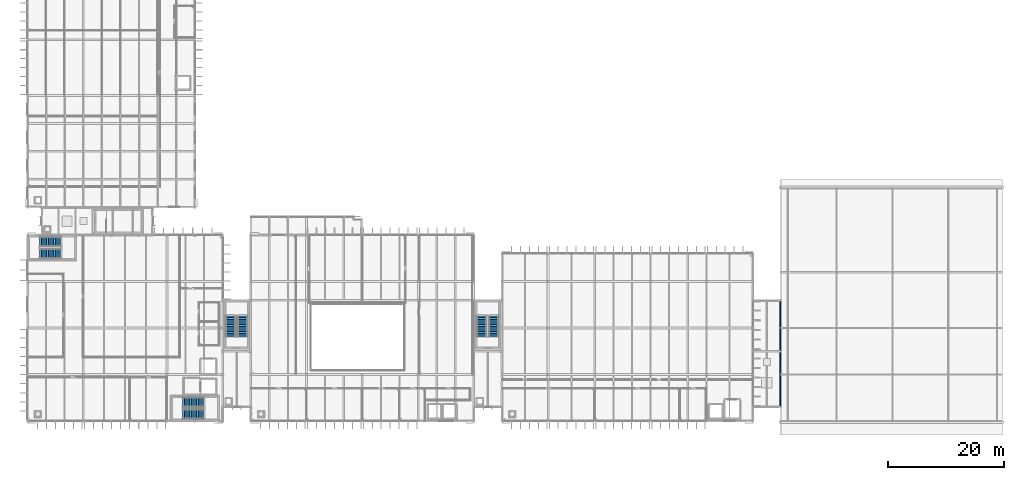
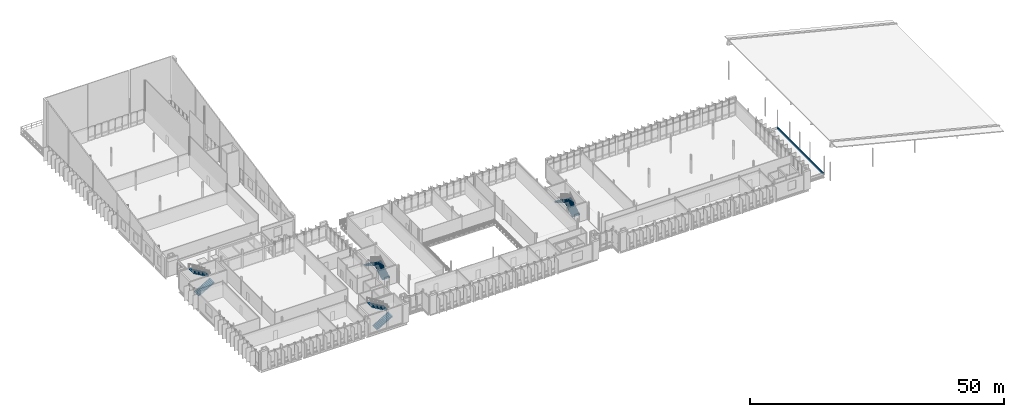
# One storey, part 56 of 93: 8 stair flights, 1 wall, 4 elements without a shape of their own.
"""IFC4 building model written with IfcOpenShell, lengths in metres."""

from ifc_helpers import new_model, si_unit, direction, frame, frame_2d, origin, place, context, subcontext, project, spatial, polyline, rectangle, outline, extrude, material, layer, layer_set, type_object, element, aggregate, save


model = new_model("IFC4")

# Units and contexts
model_context = context("Model", 3, precision=1e-05, world=origin(), true_north=direction((0.0, 1.0)))
body_context = subcontext(model_context, "Body", "Model", "MODEL_VIEW")
ifc_project = project(units=[si_unit("LENGTHUNIT", "METRE"), si_unit("AREAUNIT", "SQUARE_METRE"), si_unit("VOLUMEUNIT", "CUBIC_METRE"), si_unit("PLANEANGLEUNIT", "RADIAN"), si_unit("MASSUNIT", "GRAM", prefix="KILO")], contexts=[model_context])

# Site, building, storey
site_placement = place(None, origin())
site = spatial("IfcSite", under=ifc_project, at=site_placement, CompositionType="ELEMENT")
building_placement = place(site_placement, origin())
building = spatial("IfcBuilding", under=site, at=building_placement, Name="Dunescarp Central Library", CompositionType="ELEMENT")
storey_placement = place(building_placement, frame((0.0, 0.0, 14.10009765625)))
storey = spatial("IfcBuildingStorey", under=building, at=storey_placement, Name="L03", CompositionType="ELEMENT", Elevation=14.10009765625)

# Wall
ifc_material = material(Name="Concrete C35/45", Category="concrete")
ifc_layer = layer(ifc_material, 0.179931640625)
ifc_layer_set = layer_set([ifc_layer], Name="Concrete C35/45")
wall_type = type_object("IfcWallType", Name="ARC-WL-PAR180", PredefinedType="PARAPET", material=ifc_layer_set)
wall_placement = place(storey_placement, frame((129.510009765625, 25.510009765625, 0.0), z_axis=(0.0, 0.0, 1.0), x_axis=(0.0, -1.0, 0.0)))
element("IfcWall", 1, at=wall_placement, inside=storey, type_object=wall_type, Name="L03 maintenance roof parapet PAR-L03-008", PredefinedType="PARAPET", context=body_context, shape_type="SweptSolid", body=[
    extrude(rectangle(XDim=18.219970703125, YDim=0.179931640625, at=frame_2d((9.10986328125, 0.0))), origin(), (0.0, 0.0, 1.0), 0.449951171875),
])

# Stair, stair flights
stair_type = type_object("IfcStairType", Name="ARC-STR-TYP", PredefinedType="HALF_TURN_STAIR", material=ifc_material)
stair_1_placement = place(storey_placement, origin())
stair_1 = element("IfcStair", 2, at=stair_1_placement, inside=storey, type_object=stair_type, Name="L03 Protected escape stair ST-1", PredefinedType="HALF_TURN_STAIR")
stair_flight_type = type_object("IfcStairFlightType", Name="ARC-FLT-TYP", PredefinedType="STRAIGHT", material=ifc_material)
stair_flight_1_placement = place(storey_placement, frame((26.699951171875, 5.9599609375, 0.0), z_axis=(0.0, 0.0, 1.0), x_axis=(1.0, 0.0, 0.0)))
stair_flight_1 = element("IfcStairFlight", 3, at=stair_flight_1_placement, type_object=stair_flight_type, Name="ST-1 flight 1", NumberOfRisers=13, NumberOfTreads=12, PredefinedType="STRAIGHT", RiserHeight=0.173076923, TreadLength=0.3, context=body_context, shape_type="SweptSolid", body=[
    extrude(outline(polyline([(0.0, 0.0), (0.0, 0.173095703125), (0.300048828125, 0.173095703125), (0.300048828125, 0.34619140625), (0.60009765625, 0.34619140625), (0.60009765625, 0.519287109375), (0.89990234375, 0.519287109375), (0.89990234375, 0.6923828125), (1.199951171875, 0.6923828125), (1.199951171875, 0.865478515625), (1.5, 0.865478515625), (1.5, 1.03857421875), (1.800048828125, 1.03857421875), (1.800048828125, 1.21142578125), (2.10009765625, 1.21142578125), (2.10009765625, 1.384521484375), (2.39990234375, 1.384521484375), (2.39990234375, 1.5576171875), (2.699951171875, 1.5576171875), (2.699951171875, 1.730712890625), (3.0, 1.730712890625), (3.0, 1.90380859375), (3.300048828125, 1.90380859375), (3.300048828125, 2.076904296875), (3.60009765625, 2.076904296875), (3.60009765625, 2.25), (3.60009765625, 1.869140625), (0.360107421875, 0.0), (0.0, 0.0)])), frame((0.0, 0.85986328125, 0.0), z_axis=(0.0, -1.0, 0.0), x_axis=(1.0, 0.0, 0.0)), (0.0, 0.0, 1.0), 1.719970703125),
])
stair_flight_2_placement = place(storey_placement, frame((30.300048828125, 8.0400390625, 2.25), z_axis=(0.0, 0.0, 1.0), x_axis=(-1.0, 0.0, 0.0)))
stair_flight_2 = element("IfcStairFlight", 4, at=stair_flight_2_placement, type_object=stair_flight_type, Name="ST-1 flight 2", NumberOfRisers=13, NumberOfTreads=12, PredefinedType="STRAIGHT", RiserHeight=0.173076923, TreadLength=0.3, context=body_context, shape_type="SweptSolid", body=[
    extrude(outline(polyline([(0.0, 0.0), (0.0, 0.173095703125), (0.300048828125, 0.173095703125), (0.300048828125, 0.34619140625), (0.60009765625, 0.34619140625), (0.60009765625, 0.519287109375), (0.89990234375, 0.519287109375), (0.89990234375, 0.6923828125), (1.199951171875, 0.6923828125), (1.199951171875, 0.865478515625), (1.5, 0.865478515625), (1.5, 1.03857421875), (1.800048828125, 1.03857421875), (1.800048828125, 1.21142578125), (2.10009765625, 1.21142578125), (2.10009765625, 1.384521484375), (2.39990234375, 1.384521484375), (2.39990234375, 1.5576171875), (2.699951171875, 1.5576171875), (2.699951171875, 1.730712890625), (3.0, 1.730712890625), (3.0, 1.90380859375), (3.300048828125, 1.90380859375), (3.300048828125, 2.076904296875), (3.60009765625, 2.076904296875), (3.60009765625, 2.25), (3.60009765625, 1.869140625), (0.360107421875, 0.0), (0.0, 0.0)])), frame((0.0, 0.85986328125, 0.0), z_axis=(0.0, -1.0, 0.0), x_axis=(1.0, 0.0, 0.0)), (0.0, 0.0, 1.0), 1.719970703125),
])
aggregate(stair_1, [stair_flight_1, stair_flight_2])

stair_2_placement = place(storey_placement, origin())
stair_2 = element("IfcStair", 5, at=stair_2_placement, inside=storey, type_object=stair_type, Name="L03 Protected escape stair ST-6", PredefinedType="HALF_TURN_STAIR")
stair_flight_3_placement = place(storey_placement, frame((2.10009765625, 33.56005859375, 0.0), z_axis=(0.0, 0.0, 1.0), x_axis=(1.0, 0.0, 0.0)))
stair_flight_3 = element("IfcStairFlight", 6, at=stair_flight_3_placement, type_object=stair_flight_type, Name="ST-6 flight 1", NumberOfRisers=13, NumberOfTreads=12, PredefinedType="STRAIGHT", RiserHeight=0.173076923, TreadLength=0.3, context=body_context, shape_type="SweptSolid", body=[
    extrude(outline(polyline([(0.0, 0.0), (0.0, 0.173095703125), (0.300048828125, 0.173095703125), (0.300048828125, 0.34619140625), (0.60009765625, 0.34619140625), (0.60009765625, 0.519287109375), (0.89990234375, 0.519287109375), (0.89990234375, 0.6923828125), (1.199951171875, 0.6923828125), (1.199951171875, 0.865478515625), (1.5, 0.865478515625), (1.5, 1.03857421875), (1.800048828125, 1.03857421875), (1.800048828125, 1.21142578125), (2.10009765625, 1.21142578125), (2.10009765625, 1.384521484375), (2.39990234375, 1.384521484375), (2.39990234375, 1.5576171875), (2.699951171875, 1.5576171875), (2.699951171875, 1.730712890625), (3.0, 1.730712890625), (3.0, 1.90380859375), (3.300048828125, 1.90380859375), (3.300048828125, 2.076904296875), (3.60009765625, 2.076904296875), (3.60009765625, 2.25), (3.60009765625, 1.869140625), (0.360107421875, 0.0), (0.0, 0.0)])), frame((0.0, 0.85986328125, 0.0), z_axis=(0.0, -1.0, 0.0), x_axis=(1.0, 0.0, 0.0)), (0.0, 0.0, 1.0), 1.719970703125),
])
stair_flight_4_placement = place(storey_placement, frame((5.699951171875, 35.639892578125, 2.25), z_axis=(0.0, 0.0, 1.0), x_axis=(-1.0, 0.0, 0.0)))
stair_flight_4 = element("IfcStairFlight", 7, at=stair_flight_4_placement, type_object=stair_flight_type, Name="ST-6 flight 2", NumberOfRisers=13, NumberOfTreads=12, PredefinedType="STRAIGHT", RiserHeight=0.173076923, TreadLength=0.3, context=body_context, shape_type="SweptSolid", body=[
    extrude(outline(polyline([(0.0, 0.0), (0.0, 0.173095703125), (0.300048828125, 0.173095703125), (0.300048828125, 0.34619140625), (0.60009765625, 0.34619140625), (0.60009765625, 0.519287109375), (0.89990234375, 0.519287109375), (0.89990234375, 0.6923828125), (1.199951171875, 0.6923828125), (1.199951171875, 0.865478515625), (1.5, 0.865478515625), (1.5, 1.03857421875), (1.800048828125, 1.03857421875), (1.800048828125, 1.21142578125), (2.10009765625, 1.21142578125), (2.10009765625, 1.384521484375), (2.39990234375, 1.384521484375), (2.39990234375, 1.5576171875), (2.699951171875, 1.5576171875), (2.699951171875, 1.730712890625), (3.0, 1.730712890625), (3.0, 1.90380859375), (3.300048828125, 1.90380859375), (3.300048828125, 2.076904296875), (3.60009765625, 2.076904296875), (3.60009765625, 2.25), (3.60009765625, 1.869140625), (0.360107421875, 0.0), (0.0, 0.0)])), frame((0.0, 0.85986328125, 0.0), z_axis=(0.0, -1.0, 0.0), x_axis=(1.0, 0.0, 0.0)), (0.0, 0.0, 1.0), 1.719970703125),
])
aggregate(stair_2, [stair_flight_3, stair_flight_4])

stair_3_placement = place(storey_placement, origin())
stair_3 = element("IfcStair", 8, at=stair_3_placement, inside=storey, type_object=stair_type, Name="L03 Protected escape stair ST-2", PredefinedType="HALF_TURN_STAIR")
stair_flight_5_placement = place(storey_placement, frame((37.0400390625, 19.300048828125, 0.0), z_axis=(0.0, 0.0, 1.0), x_axis=(0.0, 1.0, 0.0)))
stair_flight_5 = element("IfcStairFlight", 9, at=stair_flight_5_placement, type_object=stair_flight_type, Name="ST-2 flight 1", NumberOfRisers=13, NumberOfTreads=12, PredefinedType="STRAIGHT", RiserHeight=0.173076923, TreadLength=0.3, context=body_context, shape_type="SweptSolid", body=[
    extrude(outline(polyline([(0.0, 0.0), (0.0, 0.173095703125), (0.300048828125, 0.173095703125), (0.300048828125, 0.34619140625), (0.60009765625, 0.34619140625), (0.60009765625, 0.519287109375), (0.89990234375, 0.519287109375), (0.89990234375, 0.6923828125), (1.199951171875, 0.6923828125), (1.199951171875, 0.865478515625), (1.5, 0.865478515625), (1.5, 1.03857421875), (1.800048828125, 1.03857421875), (1.800048828125, 1.21142578125), (2.10009765625, 1.21142578125), (2.10009765625, 1.384521484375), (2.39990234375, 1.384521484375), (2.39990234375, 1.5576171875), (2.699951171875, 1.5576171875), (2.699951171875, 1.730712890625), (3.0, 1.730712890625), (3.0, 1.90380859375), (3.300048828125, 1.90380859375), (3.300048828125, 2.076904296875), (3.60009765625, 2.076904296875), (3.60009765625, 2.25), (3.60009765625, 1.869140625), (0.360107421875, 0.0), (0.0, 0.0)])), frame((0.0, 0.85986328125, 0.0), z_axis=(0.0, -1.0, 0.0), x_axis=(1.0, 0.0, 0.0)), (0.0, 0.0, 1.0), 1.719970703125),
])
stair_flight_6_placement = place(storey_placement, frame((34.9599609375, 22.89990234375, 2.25), z_axis=(0.0, 0.0, 1.0), x_axis=(0.0, -1.0, 0.0)))
stair_flight_6 = element("IfcStairFlight", 10, at=stair_flight_6_placement, type_object=stair_flight_type, Name="ST-2 flight 2", NumberOfRisers=13, NumberOfTreads=12, PredefinedType="STRAIGHT", RiserHeight=0.173076923, TreadLength=0.3, context=body_context, shape_type="SweptSolid", body=[
    extrude(outline(polyline([(0.0, 0.0), (0.0, 0.173095703125), (0.300048828125, 0.173095703125), (0.300048828125, 0.34619140625), (0.60009765625, 0.34619140625), (0.60009765625, 0.519287109375), (0.89990234375, 0.519287109375), (0.89990234375, 0.6923828125), (1.199951171875, 0.6923828125), (1.199951171875, 0.865478515625), (1.5, 0.865478515625), (1.5, 1.03857421875), (1.800048828125, 1.03857421875), (1.800048828125, 1.21142578125), (2.10009765625, 1.21142578125), (2.10009765625, 1.384521484375), (2.39990234375, 1.384521484375), (2.39990234375, 1.5576171875), (2.699951171875, 1.5576171875), (2.699951171875, 1.730712890625), (3.0, 1.730712890625), (3.0, 1.90380859375), (3.300048828125, 1.90380859375), (3.300048828125, 2.076904296875), (3.60009765625, 2.076904296875), (3.60009765625, 2.25), (3.60009765625, 1.869140625), (0.360107421875, 0.0), (0.0, 0.0)])), frame((0.0, 0.85986328125, 0.0), z_axis=(0.0, -1.0, 0.0), x_axis=(1.0, 0.0, 0.0)), (0.0, 0.0, 1.0), 1.719970703125),
])
aggregate(stair_3, [stair_flight_5, stair_flight_6])

stair_4_placement = place(storey_placement, origin())
stair_4 = element("IfcStair", 11, at=stair_4_placement, inside=storey, type_object=stair_type, Name="L03 Protected escape stair ST-3", PredefinedType="HALF_TURN_STAIR")
stair_flight_7_placement = place(storey_placement, frame((80.239990234375, 19.300048828125, 0.0), z_axis=(0.0, 0.0, 1.0), x_axis=(0.0, 1.0, 0.0)))
stair_flight_7 = element("IfcStairFlight", 12, at=stair_flight_7_placement, type_object=stair_flight_type, Name="ST-3 flight 1", NumberOfRisers=13, NumberOfTreads=12, PredefinedType="STRAIGHT", RiserHeight=0.173076923, TreadLength=0.3, context=body_context, shape_type="SweptSolid", body=[
    extrude(outline(polyline([(0.0, 0.0), (0.0, 0.173095703125), (0.300048828125, 0.173095703125), (0.300048828125, 0.34619140625), (0.60009765625, 0.34619140625), (0.60009765625, 0.519287109375), (0.89990234375, 0.519287109375), (0.89990234375, 0.6923828125), (1.199951171875, 0.6923828125), (1.199951171875, 0.865478515625), (1.5, 0.865478515625), (1.5, 1.03857421875), (1.800048828125, 1.03857421875), (1.800048828125, 1.21142578125), (2.10009765625, 1.21142578125), (2.10009765625, 1.384521484375), (2.39990234375, 1.384521484375), (2.39990234375, 1.5576171875), (2.699951171875, 1.5576171875), (2.699951171875, 1.730712890625), (3.0, 1.730712890625), (3.0, 1.90380859375), (3.300048828125, 1.90380859375), (3.300048828125, 2.076904296875), (3.60009765625, 2.076904296875), (3.60009765625, 2.25), (3.60009765625, 1.869140625), (0.360107421875, 0.0), (0.0, 0.0)])), frame((0.0, 0.85986328125, 0.0), z_axis=(0.0, -1.0, 0.0), x_axis=(1.0, 0.0, 0.0)), (0.0, 0.0, 1.0), 1.719970703125),
])
stair_flight_8_placement = place(storey_placement, frame((78.159912109375, 22.89990234375, 2.25), z_axis=(0.0, 0.0, 1.0), x_axis=(0.0, -1.0, 0.0)))
stair_flight_8 = element("IfcStairFlight", 13, at=stair_flight_8_placement, type_object=stair_flight_type, Name="ST-3 flight 2", NumberOfRisers=13, NumberOfTreads=12, PredefinedType="STRAIGHT", RiserHeight=0.173076923, TreadLength=0.3, context=body_context, shape_type="SweptSolid", body=[
    extrude(outline(polyline([(0.0, 0.0), (0.0, 0.173095703125), (0.300048828125, 0.173095703125), (0.300048828125, 0.34619140625), (0.60009765625, 0.34619140625), (0.60009765625, 0.519287109375), (0.89990234375, 0.519287109375), (0.89990234375, 0.6923828125), (1.199951171875, 0.6923828125), (1.199951171875, 0.865478515625), (1.5, 0.865478515625), (1.5, 1.03857421875), (1.800048828125, 1.03857421875), (1.800048828125, 1.21142578125), (2.10009765625, 1.21142578125), (2.10009765625, 1.384521484375), (2.39990234375, 1.384521484375), (2.39990234375, 1.5576171875), (2.699951171875, 1.5576171875), (2.699951171875, 1.730712890625), (3.0, 1.730712890625), (3.0, 1.90380859375), (3.300048828125, 1.90380859375), (3.300048828125, 2.076904296875), (3.60009765625, 2.076904296875), (3.60009765625, 2.25), (3.60009765625, 1.869140625), (0.360107421875, 0.0), (0.0, 0.0)])), frame((0.0, 0.85986328125, 0.0), z_axis=(0.0, -1.0, 0.0), x_axis=(1.0, 0.0, 0.0)), (0.0, 0.0, 1.0), 1.719970703125),
])
aggregate(stair_4, [stair_flight_7, stair_flight_8])

save(model, "model.ifc")
